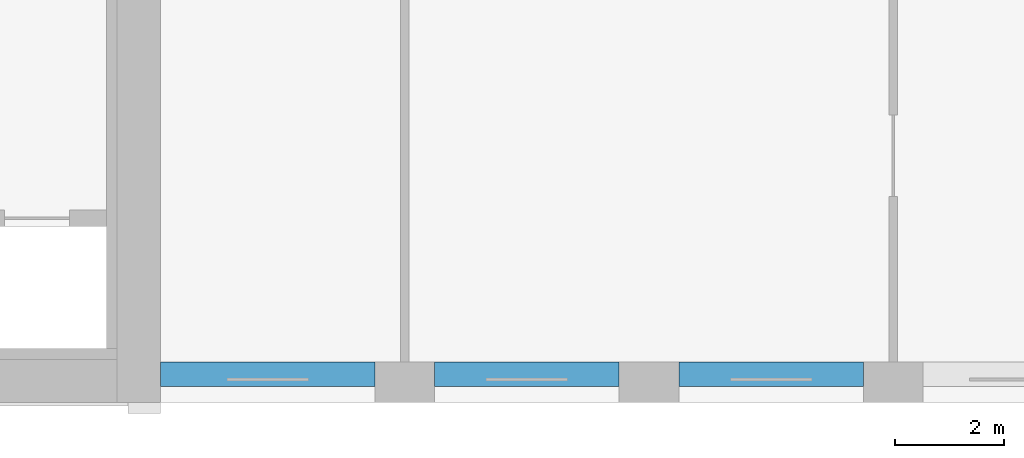
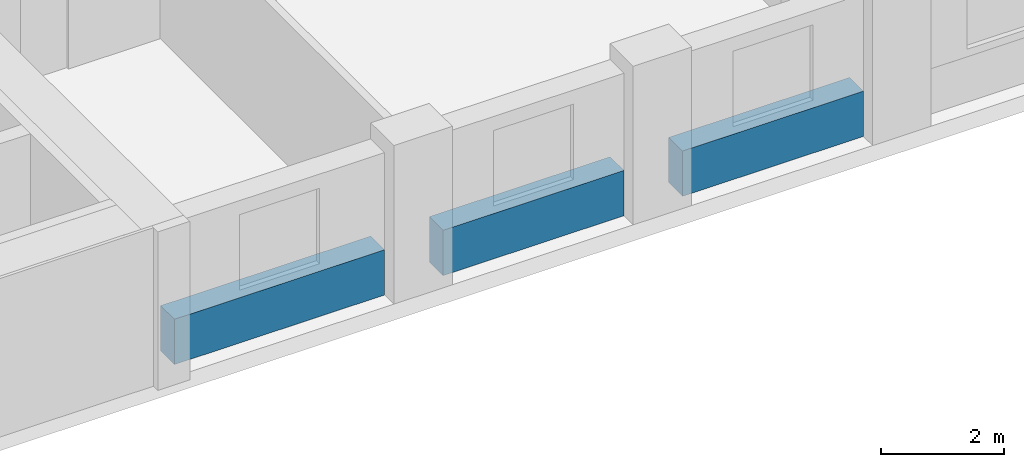
# One storey, part 3 of 16: 3 beams.
"""IFC4 building model written with IfcOpenShell, lengths in metres."""

from ifc_helpers import new_model, si_unit, direction, frame, origin, origin_2d, place, context, subcontext, project, spatial, rectangle, extrude, material, material_profile, profile_set, type_object, element, save


model = new_model("IFC4")

# Units and contexts
model_context = context("Model", 3, precision=1e-05, world=origin(), true_north=direction((0.0, 1.0)))
body_context = subcontext(model_context, "Body", "Model", "MODEL_VIEW")
ifc_project = project(units=[si_unit("LENGTHUNIT", "METRE"), si_unit("AREAUNIT", "SQUARE_METRE"), si_unit("VOLUMEUNIT", "CUBIC_METRE"), si_unit("PLANEANGLEUNIT", "RADIAN"), si_unit("MASSUNIT", "GRAM", prefix="KILO")], contexts=[model_context])

# Site, building, storey
site_placement = place(None, origin())
site = spatial("IfcSite", under=ifc_project, at=site_placement, CompositionType="ELEMENT")
building_placement = place(site_placement, origin())
building = spatial("IfcBuilding", under=site, at=building_placement, Name="Brigalow Station Residences", CompositionType="ELEMENT")
storey_placement = place(building_placement, frame((0.0, 0.0, 86.699951171875)))
storey = spatial("IfcBuildingStorey", under=building, at=storey_placement, Name="L24", CompositionType="ELEMENT", Elevation=86.699951171875)

# Beams
ifc_material = material(Name="Concrete C65", Category="concrete")
ifc_material_profile = material_profile(ifc_material, rectangle(XDim=0.449951171875, YDim=0.89990234375, at=origin_2d()), Name="RC450x900")
ifc_profile_set = profile_set([ifc_material_profile], Name="Concrete C65")
beam_type = type_object("IfcBeamType", Name="SPANDREL BEAM 450x900 C65", PredefinedType="SPANDREL", material=ifc_profile_set)
beam_placement = place(storey_placement, frame((54.0, 0.52490234375, 0.449951171875), z_axis=(1.0, 0.0, 0.0), x_axis=(0.0, 1.0, 0.0)))
element("IfcBeam", 1, at=beam_placement, inside=storey, type_object=beam_type, Name="L24/spandrel/W-L24-4", PredefinedType="SPANDREL", context=body_context, shape_type="SweptSolid", body=[
    extrude(rectangle(XDim=0.449951171875, YDim=0.89990234375, at=origin_2d()), origin(), (0.0, 0.0, 1.0), 3.949951171875),
])
for number, where, z_axis, x_axis, name in (
    (2, (59.050048828125, 0.52490234375, 0.449951171875), (1.0, 0.0, 0.0), (0.0, 1.0, 0.0), "L24/spandrel/W-L24-5"),
    (3, (63.550048828125, 0.52490234375, 0.449951171875), (1.0, 0.0, 0.0), (0.0, 1.0, 0.0), "L24/spandrel/W-L24-6"),
):
    element("IfcBeam", number, at=place(storey_placement, frame(where, z_axis=z_axis, x_axis=x_axis)), inside=storey, type_object=beam_type, Name=name, PredefinedType="SPANDREL", context=body_context, shape_type="SweptSolid", body=[
        extrude(rectangle(XDim=0.449951171875, YDim=0.89990234375, at=origin_2d()), origin(), (0.0, 0.0, 1.0), 3.39990234375),
    ])

save(model, "model.ifc")
